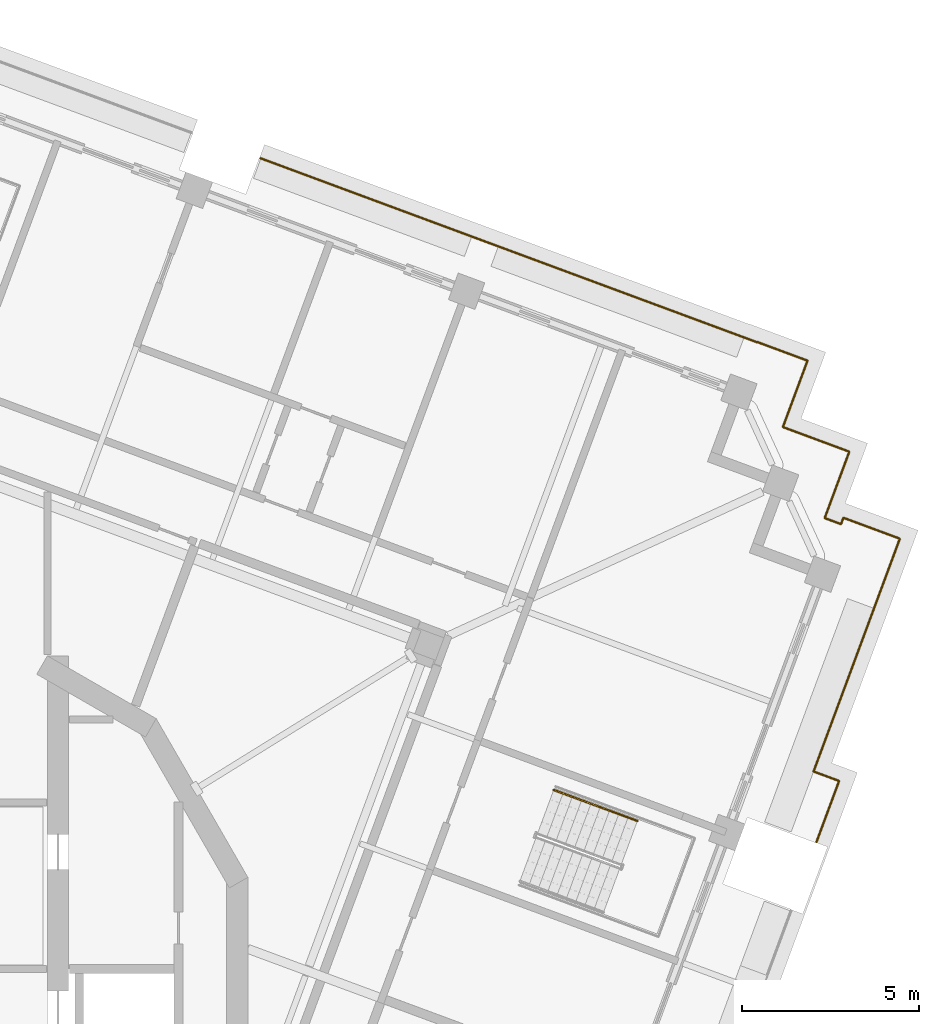
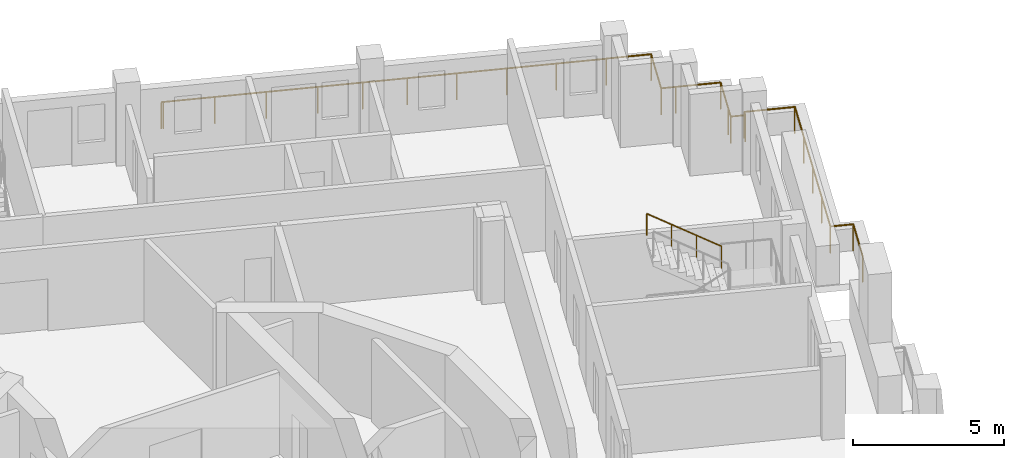
# One storey, part 17 of 18: 3 railings.
"""IFC4 building model written with IfcOpenShell, lengths in metres."""

from ifc_helpers import new_model, si_unit, direction, frame, origin, origin_2d, place, context, subcontext, project, spatial, circle, extrude, material, type_object, element, save


model = new_model("IFC4")

# Units and contexts
model_context = context("Model", 3, precision=1e-05, world=origin(), true_north=direction((0.0, 1.0)))
body_context = subcontext(model_context, "Body", "Model", "MODEL_VIEW")
ifc_project = project(units=[si_unit("LENGTHUNIT", "METRE"), si_unit("AREAUNIT", "SQUARE_METRE"), si_unit("VOLUMEUNIT", "CUBIC_METRE"), si_unit("PLANEANGLEUNIT", "RADIAN"), si_unit("MASSUNIT", "GRAM", prefix="KILO")], contexts=[model_context])

# Site, building, storey
site_placement = place(None, origin())
site = spatial("IfcSite", under=ifc_project, at=site_placement, CompositionType="ELEMENT")
building_placement = place(site_placement, origin())
building = spatial("IfcBuilding", under=site, at=building_placement, Name="Cantera Rosa Tower", CompositionType="ELEMENT")
storey_placement = place(building_placement, frame((0.0, 0.0, 338.5)))
storey = spatial("IfcBuildingStorey", under=building, at=storey_placement, Name="L76", CompositionType="ELEMENT", Elevation=338.5)

# Railings
ifc_material_1 = material(Name="Stainless steel and laminated glass", Category="steel")
railing_type_1 = type_object("IfcRailingType", Name="GUARD 1100", PredefinedType="BALUSTRADE", material=ifc_material_1)
railing_1_placement = place(storey_placement, frame((26.120849609375, 13.19580078125, 0.0)))
element("IfcRailing", 1, at=railing_1_placement, inside=storey, type_object=railing_type_1, Name="GUARD L76-7", PredefinedType="BALUSTRADE", context=body_context, shape_type="SweptSolid", body=[
    extrude(circle(Radius=0.030029296875, at=origin_2d()), frame((0.0, 0.0, 1.070068359375), z_axis=(-0.347314355824, -0.937748760724, 0.0), x_axis=(0.937748760724, -0.347314355824, 0.0)), (0.0, 0.0, 1.0), 0.491943359375),
    extrude(circle(Radius=0.030029296875, at=origin_2d()), frame((-0.1708984375, -0.46142578125, 1.070068359375), z_axis=(0.93758708988, -0.347750555558, 0.0), x_axis=(0.347750555558, 0.93758708988, 0.0)), (0.0, 0.0, 1.0), 0.4921875),
    extrude(circle(Radius=0.030029296875, at=origin_2d()), frame((0.29052734375, -0.632568359375, 1.070068359375), z_axis=(0.346941811727, 0.937886655879, 0.0), x_axis=(-0.937886655879, 0.346941811727, 0.0)), (0.0, 0.0, 1.0), 0.192138671875),
    extrude(circle(Radius=0.030029296875, at=origin_2d()), frame((0.357177734375, -0.452392578125, 1.070068359375), z_axis=(0.937708907639, -0.347421940202, 0.0), x_axis=(0.347421940202, 0.937708907639, 0.0)), (0.0, 0.0, 1.0), 1.699951171875),
    extrude(circle(Radius=0.030029296875, at=origin_2d()), frame((1.951171875, -1.04296875, 1.070068359375), z_axis=(-0.34747652556, -0.937688681912, 0.0), x_axis=(0.937688681912, -0.34747652556, 0.0)), (0.0, 0.0, 1.0), 7.01123046875),
    extrude(circle(Radius=0.030029296875, at=origin_2d()), frame((-0.485107421875, -7.617431640625, 1.070068359375), z_axis=(0.937718113154, -0.347397093055, 0.0), x_axis=(0.347397093055, 0.937718113154, 0.0)), (0.0, 0.0, 1.0), 0.768798828125),
    extrude(circle(Radius=0.030029296875, at=origin_2d()), frame((0.23583984375, -7.884521484375, 1.070068359375), z_axis=(-0.347483006941, -0.9376862801, 0.0), x_axis=(0.9376862801, -0.347483006941, 0.0)), (0.0, 0.0, 1.0), 1.838623046875),
    extrude(circle(Radius=0.02490234375, at=origin_2d()), origin(), (0.0, 0.0, 1.0), 1.0400390625),
    extrude(circle(Radius=0.02490234375, at=origin_2d()), frame((-0.1708984375, -0.46142578125, 0.0)), (0.0, 0.0, 1.0), 1.0400390625),
    extrude(circle(Radius=0.02490234375, at=origin_2d()), frame((0.29052734375, -0.632568359375, 0.0)), (0.0, 0.0, 1.0), 1.0400390625),
    extrude(circle(Radius=0.02490234375, at=origin_2d()), frame((0.357177734375, -0.452392578125, 0.0)), (0.0, 0.0, 1.0), 1.0400390625),
    extrude(circle(Radius=0.02490234375, at=origin_2d()), frame((1.951171875, -1.04296875, 0.0)), (0.0, 0.0, 1.0), 1.0400390625),
    extrude(circle(Radius=0.02490234375, at=origin_2d()), frame((1.342041015625, -2.6865234375, 0.0)), (0.0, 0.0, 1.0), 1.0400390625),
    extrude(circle(Radius=0.02490234375, at=origin_2d()), frame((0.73291015625, -4.330078125, 0.0)), (0.0, 0.0, 1.0), 1.0400390625),
    extrude(circle(Radius=0.02490234375, at=origin_2d()), frame((0.1240234375, -5.973876953125, 0.0)), (0.0, 0.0, 1.0), 1.0400390625),
    extrude(circle(Radius=0.02490234375, at=origin_2d()), frame((-0.485107421875, -7.617431640625, 0.0)), (0.0, 0.0, 1.0), 1.0400390625),
    extrude(circle(Radius=0.02490234375, at=origin_2d()), frame((0.23583984375, -7.884521484375, 0.0)), (0.0, 0.0, 1.0), 1.0400390625),
    extrude(circle(Radius=0.02490234375, at=origin_2d()), frame((-0.403076171875, -9.608642578125, 0.0)), (0.0, 0.0, 1.0), 1.0400390625),
])
railing_2_placement = place(storey_placement, frame((10.010498046875, 22.8984375, 0.0)))
element("IfcRailing", 2, at=railing_2_placement, inside=storey, type_object=railing_type_1, Name="GUARD L76-8", PredefinedType="BALUSTRADE", context=body_context, shape_type="SweptSolid", body=[
    extrude(circle(Radius=0.030029296875, at=origin_2d()), frame((0.0, 0.0, 1.070068359375), z_axis=(0.937327749542, -0.348448977525, 0.0), x_axis=(0.348448977525, 0.937327749542, 0.0)), (0.0, 0.0, 1.0), 0.070068359375),
    extrude(circle(Radius=0.030029296875, at=origin_2d()), frame((0.065673828125, -0.0244140625, 1.070068359375), z_axis=(0.937688147358, -0.347477968085, 0.0), x_axis=(0.347477968085, 0.937688147358, 0.0)), (0.0, 0.0, 1.0), 5.199951171875),
    extrude(circle(Radius=0.030029296875, at=origin_2d()), frame((4.941650390625, -1.831298828125, 1.070068359375), z_axis=(0.937680024402, -0.347499887537, 0.0), x_axis=(0.347499887537, 0.937680024402, 0.0)), (0.0, 0.0, 1.0), 3.0),
    extrude(circle(Radius=0.030029296875, at=origin_2d()), frame((7.754638671875, -2.873779296875, 1.070068359375), z_axis=(0.937686328856, -0.347482875373, 0.0), x_axis=(0.347482875373, 0.937686328856, 0.0)), (0.0, 0.0, 1.0), 6.699951171875),
    extrude(circle(Radius=0.030029296875, at=origin_2d()), frame((14.037109375, -5.201904296875, 1.070068359375), z_axis=(0.360994102558, 0.932568098274, 0.0), x_axis=(-0.932568098274, 0.360994102558, 0.0)), (0.0, 0.0, 1.0), 0.008056640625),
    extrude(circle(Radius=0.030029296875, at=origin_2d()), frame((14.0400390625, -5.1943359375, 1.070068359375), z_axis=(0.93763347607, -0.347625465916, 0.0), x_axis=(0.347625465916, 0.93763347607, 0.0)), (0.0, 0.0, 1.0), 1.5078125),
    extrude(circle(Radius=0.030029296875, at=origin_2d()), frame((15.453857421875, -5.718505859375, 1.070068359375), z_axis=(-0.347441587487, -0.93770162807, 0.0), x_axis=(0.93770162807, -0.347441587487, 0.0)), (0.0, 0.0, 1.0), 1.999755859375),
    extrude(circle(Radius=0.030029296875, at=origin_2d()), frame((14.759033203125, -7.59375, 1.070068359375), z_axis=(0.937748760724, -0.347314355824, 0.0), x_axis=(0.347314355824, 0.937748760724, 0.0)), (0.0, 0.0, 1.0), 0.491943359375),
    extrude(circle(Radius=0.030029296875, at=origin_2d()), frame((15.220458984375, -7.7646484375, 1.070068359375), z_axis=(0.93763347607, -0.347625465916, 0.0), x_axis=(0.347625465916, 0.93763347607, 0.0)), (0.0, 0.0, 1.0), 1.5078125),
    extrude(circle(Radius=0.030029296875, at=origin_2d()), frame((16.63427734375, -8.288818359375, 1.070068359375), z_axis=(-0.347483107742, -0.937686242746, 0.0), x_axis=(0.937686242746, -0.347483107742, 0.0)), (0.0, 0.0, 1.0), 1.5078125),
    extrude(circle(Radius=0.02490234375, at=origin_2d()), origin(), (0.0, 0.0, 1.0), 1.0400390625),
    extrude(circle(Radius=0.02490234375, at=origin_2d()), frame((0.065673828125, -0.0244140625, 0.0)), (0.0, 0.0, 1.0), 1.0400390625),
    extrude(circle(Radius=0.02490234375, at=origin_2d()), frame((1.69091796875, -0.626708984375, 0.0)), (0.0, 0.0, 1.0), 1.0400390625),
    extrude(circle(Radius=0.02490234375, at=origin_2d()), frame((3.31640625, -1.22900390625, 0.0)), (0.0, 0.0, 1.0), 1.0400390625),
    extrude(circle(Radius=0.02490234375, at=origin_2d()), frame((4.941650390625, -1.831298828125, 0.0)), (0.0, 0.0, 1.0), 1.0400390625),
    extrude(circle(Radius=0.02490234375, at=origin_2d()), frame((6.34814453125, -2.3525390625, 0.0)), (0.0, 0.0, 1.0), 1.0400390625),
    extrude(circle(Radius=0.02490234375, at=origin_2d()), frame((7.754638671875, -2.873779296875, 0.0)), (0.0, 0.0, 1.0), 1.0400390625),
    extrude(circle(Radius=0.02490234375, at=origin_2d()), frame((9.3251953125, -3.455810546875, 0.0)), (0.0, 0.0, 1.0), 1.0400390625),
    extrude(circle(Radius=0.02490234375, at=origin_2d()), frame((10.89599609375, -4.037841796875, 0.0)), (0.0, 0.0, 1.0), 1.0400390625),
    extrude(circle(Radius=0.02490234375, at=origin_2d()), frame((12.466552734375, -4.619873046875, 0.0)), (0.0, 0.0, 1.0), 1.0400390625),
    extrude(circle(Radius=0.02490234375, at=origin_2d()), frame((14.037109375, -5.201904296875, 0.0)), (0.0, 0.0, 1.0), 1.0400390625),
    extrude(circle(Radius=0.02490234375, at=origin_2d()), frame((14.0400390625, -5.1943359375, 0.0)), (0.0, 0.0, 1.0), 1.0400390625),
    extrude(circle(Radius=0.02490234375, at=origin_2d()), frame((15.453857421875, -5.718505859375, 0.0)), (0.0, 0.0, 1.0), 1.0400390625),
    extrude(circle(Radius=0.02490234375, at=origin_2d()), frame((14.759033203125, -7.59375, 0.0)), (0.0, 0.0, 1.0), 1.0400390625),
    extrude(circle(Radius=0.02490234375, at=origin_2d()), frame((15.220458984375, -7.7646484375, 0.0)), (0.0, 0.0, 1.0), 1.0400390625),
    extrude(circle(Radius=0.02490234375, at=origin_2d()), frame((16.63427734375, -8.288818359375, 0.0)), (0.0, 0.0, 1.0), 1.0400390625),
    extrude(circle(Radius=0.02490234375, at=origin_2d()), frame((16.1103515625, -9.70263671875, 0.0)), (0.0, 0.0, 1.0), 1.0400390625),
])
ifc_material_2 = material(Name="Steel S355J2 (EN 10025-2)", Category="steel")
railing_type_2 = type_object("IfcRailingType", Name="STAIR HANDRAIL 900", PredefinedType="HANDRAIL", material=ifc_material_2)
railing_3_placement = place(storey_placement, frame((20.660400390625, 4.181396484375, 1.97998046875)))
element("IfcRailing", 3, at=railing_3_placement, inside=storey, type_object=railing_type_2, Name="L76 ST-61 stair handrail 2", PredefinedType="HANDRAIL", context=body_context, shape_type="SweptSolid", body=[
    extrude(circle(Radius=0.02392578125, at=origin_2d()), frame((0.0, 0.0, 0.8759765625), z_axis=(-0.788747577403, 0.292306804437, 0.540771662738), x_axis=(-0.347500508527, -0.937679794265, 0.0)), (0.0, 0.0, 1.0), 2.995849609375),
    extrude(circle(Radius=0.02099609375, at=origin_2d()), origin(), (0.0, 0.0, 1.0), 0.851806640625),
    extrude(circle(Radius=0.02099609375, at=origin_2d()), frame((-0.78759765625, 0.2919921875, 0.5400390625)), (0.0, 0.0, 1.0), 0.851806640625),
    extrude(circle(Radius=0.02099609375, at=origin_2d()), frame((-1.575439453125, 0.583740234375, 1.080078125)), (0.0, 0.0, 1.0), 0.851806640625),
    extrude(circle(Radius=0.02099609375, at=origin_2d()), frame((-2.363037109375, 0.875732421875, 1.6201171875)), (0.0, 0.0, 1.0), 0.851806640625),
])

save(model, "model.ifc")
